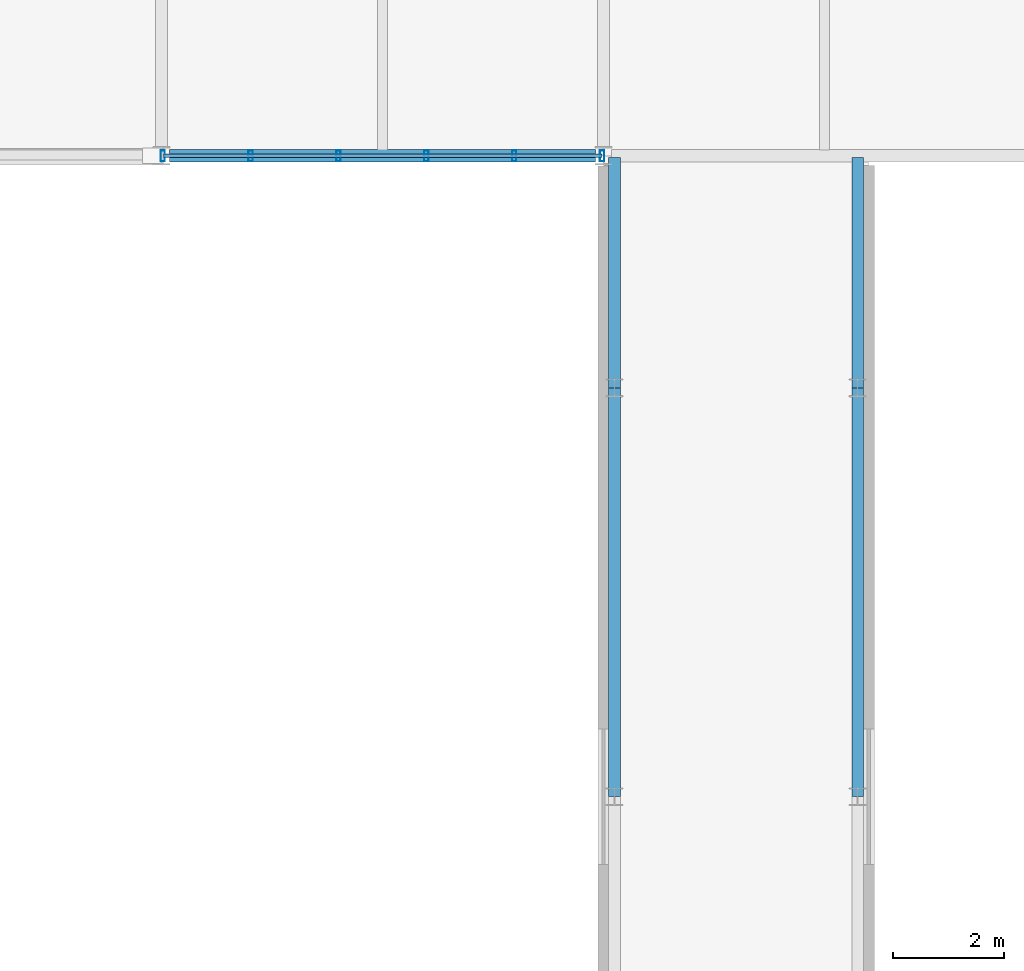
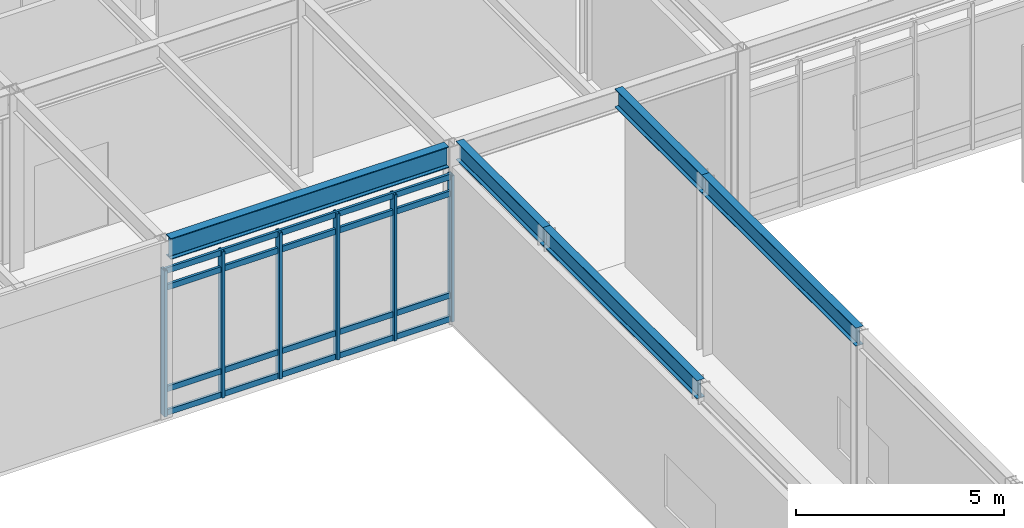
# One storey, part 29 of 94: 10 members, 5 beams, 1 element without a shape of its own.
"""IFC4 building model written with IfcOpenShell, lengths in metres."""

from ifc_helpers import new_model, si_unit, direction, frame, origin, origin_2d, place, context, subcontext, project, spatial, hollow_rectangle, i_section, extrude, material, material_profile, profile_set, type_object, element, aggregate, save


model = new_model("IFC4")

# Units and contexts
model_context = context("Model", 3, precision=1e-05, world=origin(), true_north=direction((0.0, 1.0)))
body_context = subcontext(model_context, "Body", "Model", "MODEL_VIEW")
ifc_project = project(units=[si_unit("LENGTHUNIT", "METRE"), si_unit("AREAUNIT", "SQUARE_METRE"), si_unit("VOLUMEUNIT", "CUBIC_METRE"), si_unit("PLANEANGLEUNIT", "RADIAN"), si_unit("MASSUNIT", "GRAM", prefix="KILO")], contexts=[model_context])

# Site, building, storey
site_placement = place(None, origin())
site = spatial("IfcSite", under=ifc_project, at=site_placement, CompositionType="ELEMENT")
building_placement = place(site_placement, origin())
building = spatial("IfcBuilding", under=site, at=building_placement, Name="Zulena Civic Courthouse", CompositionType="ELEMENT")
storey_placement = place(building_placement, frame((0.0, 0.0, 5.39990234375)))
storey = spatial("IfcBuildingStorey", under=building, at=storey_placement, Name="L01", CompositionType="ELEMENT", Elevation=5.39990234375)

# Beams
ifc_material_1 = material(Name="Steel ASTM A992 Grade 50", Category="steel")
ifc_material_profile_1 = material_profile(ifc_material_1, i_section(OverallWidth=0.2099609375, OverallDepth=0.537109375, WebThickness=0.010986328125, FlangeThickness=0.017333984375, FilletRadius=0.0126953125, at=origin_2d()), Name="W21X68")
ifc_profile_set_1 = profile_set([ifc_material_profile_1], Name="Steel ASTM A992 Grade 50")
beam_type_1 = type_object("IfcBeamType", Name="BridgeGirder_W21X68", PredefinedType="BEAM", material=ifc_profile_set_1)
beam_1_placement = place(storey_placement, frame((52.199951171875, 34.39990234375, 4.9365234375), z_axis=(0.0, 1.0, 0.0), x_axis=(-1.0, 0.0, 0.0)))
element("IfcBeam", 1, at=beam_1_placement, inside=storey, type_object=beam_type_1, Name="beam:bridge:BR-52C:L02:52.20:2", PredefinedType="BEAM", context=body_context, shape_type="SweptSolid", body=[
    extrude(i_section(OverallWidth=0.2099609375, OverallDepth=0.537109375, WebThickness=0.010986328125, FlangeThickness=0.017333984375, FilletRadius=0.0126953125, at=origin_2d()), origin(), (0.0, 0.0, 1.0), 7.400146484375),
])
beam_2_placement = place(storey_placement, frame((52.199951171875, 41.800048828125, 4.9365234375), z_axis=(0.0, 1.0, 0.0), x_axis=(-1.0, 0.0, 0.0)))
element("IfcBeam", 2, at=beam_2_placement, inside=storey, type_object=beam_type_1, Name="beam:bridge:BR-52C:L02:52.20:3", PredefinedType="BEAM", context=body_context, shape_type="SweptSolid", body=[
    extrude(i_section(OverallWidth=0.2099609375, OverallDepth=0.537109375, WebThickness=0.010986328125, FlangeThickness=0.017333984375, FilletRadius=0.0126953125, at=origin_2d()), origin(), (0.0, 0.0, 1.0), 4.169921875),
])
beam_3_placement = place(storey_placement, frame((56.60009765625, 34.39990234375, 4.9365234375), z_axis=(0.0, 1.0, 0.0), x_axis=(-1.0, 0.0, 0.0)))
element("IfcBeam", 3, at=beam_3_placement, inside=storey, type_object=beam_type_1, Name="beam:bridge:BR-52C:L02:56.60:2", PredefinedType="BEAM", context=body_context, shape_type="SweptSolid", body=[
    extrude(i_section(OverallWidth=0.2099609375, OverallDepth=0.537109375, WebThickness=0.010986328125, FlangeThickness=0.017333984375, FilletRadius=0.0126953125, at=origin_2d()), origin(), (0.0, 0.0, 1.0), 7.400146484375),
])
beam_4_placement = place(storey_placement, frame((56.60009765625, 41.800048828125, 4.9365234375), z_axis=(0.0, 1.0, 0.0), x_axis=(-1.0, 0.0, 0.0)))
element("IfcBeam", 4, at=beam_4_placement, inside=storey, type_object=beam_type_1, Name="beam:bridge:BR-52C:L02:56.60:3", PredefinedType="BEAM", context=body_context, shape_type="SweptSolid", body=[
    extrude(i_section(OverallWidth=0.2099609375, OverallDepth=0.537109375, WebThickness=0.010986328125, FlangeThickness=0.017333984375, FilletRadius=0.0126953125, at=origin_2d()), origin(), (0.0, 0.0, 1.0), 4.169921875),
])

# Curtain wall, members
ifc_material_2 = material(Name="Double-silver low-E laminated solar-control glass", Category="glass")
curtain_wall_type = type_object("IfcCurtainWallType", Name="CW_7952x4280", PredefinedType="USERDEFINED", material=ifc_material_2)
curtain_wall_placement = place(storey_placement, origin())
curtain_wall = element("IfcCurtainWall", 5, at=curtain_wall_placement, inside=storey, type_object=curtain_wall_type, Name="cw:V5:L01:5:7", ObjectType="UNITISED CURTAIN WALL", PredefinedType="USERDEFINED")
ifc_material_3 = material(Name="Bronze anodised thermally broken aluminium AA6063-T6", Category="aluminium")
ifc_material_profile_2 = material_profile(ifc_material_3, hollow_rectangle(XDim=0.080078125, YDim=0.199951171875, WallThickness=0.0048828125, at=origin_2d()), Name="CWM200X80X5")
ifc_profile_set_2 = profile_set([ifc_material_profile_2], Name="Bronze anodised thermally broken aluminium AA6063-T6")
member_type_1 = type_object("IfcMemberType", Name="CWMullion_200x80", PredefinedType="MULLION", material=ifc_profile_set_2)
member_1_placement = place(storey_placement, frame((51.97607421875, 46.0, 0.0), z_axis=(0.0, 0.0, 1.0), x_axis=(1.0, 0.0, 0.0)))
member_1 = element("IfcMember", 6, at=member_1_placement, type_object=member_type_1, Name="cw:V5:L01:5:7:mull:0", PredefinedType="MULLION", context=body_context, shape_type="SweptSolid", body=[
    extrude(hollow_rectangle(XDim=0.080078125, YDim=0.199951171875, WallThickness=0.0048828125, at=origin_2d()), origin(), (0.0, 0.0, 1.0), 4.280029296875),
])
member_2_placement = place(storey_placement, frame((50.385498046875, 46.0, 0.0), z_axis=(0.0, 0.0, 1.0), x_axis=(1.0, 0.0, 0.0)))
member_2 = element("IfcMember", 7, at=member_2_placement, type_object=member_type_1, Name="cw:V5:L01:5:7:mull:1", PredefinedType="MULLION", context=body_context, shape_type="SweptSolid", body=[
    extrude(hollow_rectangle(XDim=0.080078125, YDim=0.199951171875, WallThickness=0.0048828125, at=origin_2d()), origin(), (0.0, 0.0, 1.0), 4.280029296875),
])
member_3_placement = place(storey_placement, frame((48.795166015625, 46.0, 0.0), z_axis=(0.0, 0.0, 1.0), x_axis=(1.0, 0.0, 0.0)))
member_3 = element("IfcMember", 8, at=member_3_placement, type_object=member_type_1, Name="cw:V5:L01:5:7:mull:2", PredefinedType="MULLION", context=body_context, shape_type="SweptSolid", body=[
    extrude(hollow_rectangle(XDim=0.080078125, YDim=0.199951171875, WallThickness=0.0048828125, at=origin_2d()), origin(), (0.0, 0.0, 1.0), 4.280029296875),
])
member_4_placement = place(storey_placement, frame((47.204833984375, 46.0, 0.0), z_axis=(0.0, 0.0, 1.0), x_axis=(1.0, 0.0, 0.0)))
member_4 = element("IfcMember", 9, at=member_4_placement, type_object=member_type_1, Name="cw:V5:L01:5:7:mull:3", PredefinedType="MULLION", context=body_context, shape_type="SweptSolid", body=[
    extrude(hollow_rectangle(XDim=0.080078125, YDim=0.199951171875, WallThickness=0.0048828125, at=origin_2d()), origin(), (0.0, 0.0, 1.0), 4.280029296875),
])
member_5_placement = place(storey_placement, frame((45.614501953125, 46.0, 0.0), z_axis=(0.0, 0.0, 1.0), x_axis=(1.0, 0.0, 0.0)))
member_5 = element("IfcMember", 10, at=member_5_placement, type_object=member_type_1, Name="cw:V5:L01:5:7:mull:4", PredefinedType="MULLION", context=body_context, shape_type="SweptSolid", body=[
    extrude(hollow_rectangle(XDim=0.080078125, YDim=0.199951171875, WallThickness=0.0048828125, at=origin_2d()), origin(), (0.0, 0.0, 1.0), 4.280029296875),
])
member_6_placement = place(storey_placement, frame((44.02392578125, 46.0, 0.0), z_axis=(0.0, 0.0, 1.0), x_axis=(1.0, 0.0, 0.0)))
member_6 = element("IfcMember", 11, at=member_6_placement, type_object=member_type_1, Name="cw:V5:L01:5:7:mull:5", PredefinedType="MULLION", context=body_context, shape_type="SweptSolid", body=[
    extrude(hollow_rectangle(XDim=0.080078125, YDim=0.199951171875, WallThickness=0.0048828125, at=origin_2d()), origin(), (0.0, 0.0, 1.0), 4.280029296875),
])
ifc_material_profile_3 = material_profile(ifc_material_3, hollow_rectangle(XDim=0.070068359375, YDim=0.1650390625, WallThickness=0.00390625, at=origin_2d()), Name="CWT165X70X4")
ifc_profile_set_3 = profile_set([ifc_material_profile_3], Name="Bronze anodised thermally broken aluminium AA6063-T6")
member_type_2 = type_object("IfcMemberType", Name="CWTransom_165x70", PredefinedType="USERDEFINED", material=ifc_profile_set_3)
member_7_placement = place(storey_placement, frame((51.97607421875, 46.0, 0.06005859375), z_axis=(-1.0, 0.0, 0.0), x_axis=(0.0, -1.0, 0.0)))
member_7 = element("IfcMember", 12, at=member_7_placement, type_object=member_type_2, Name="cw:V5:L01:5:7:tran:0", ObjectType="TRANSOM", PredefinedType="USERDEFINED", context=body_context, shape_type="SweptSolid", body=[
    extrude(hollow_rectangle(XDim=0.070068359375, YDim=0.1650390625, WallThickness=0.00390625, at=origin_2d()), origin(), (0.0, 0.0, 1.0), 7.9521484375),
])
member_8_placement = place(storey_placement, frame((51.97607421875, 46.0, 0.75), z_axis=(-1.0, 0.0, 0.0), x_axis=(0.0, -1.0, 0.0)))
member_8 = element("IfcMember", 13, at=member_8_placement, type_object=member_type_2, Name="cw:V5:L01:5:7:tran:1", ObjectType="TRANSOM", PredefinedType="USERDEFINED", context=body_context, shape_type="SweptSolid", body=[
    extrude(hollow_rectangle(XDim=0.070068359375, YDim=0.1650390625, WallThickness=0.00390625, at=origin_2d()), origin(), (0.0, 0.0, 1.0), 7.9521484375),
])
member_9_placement = place(storey_placement, frame((51.97607421875, 46.0, 3.72998046875), z_axis=(-1.0, 0.0, 0.0), x_axis=(0.0, -1.0, 0.0)))
member_9 = element("IfcMember", 14, at=member_9_placement, type_object=member_type_2, Name="cw:V5:L01:5:7:tran:2", ObjectType="TRANSOM", PredefinedType="USERDEFINED", context=body_context, shape_type="SweptSolid", body=[
    extrude(hollow_rectangle(XDim=0.070068359375, YDim=0.1650390625, WallThickness=0.00390625, at=origin_2d()), origin(), (0.0, 0.0, 1.0), 7.9521484375),
])
member_10_placement = place(storey_placement, frame((51.97607421875, 46.0, 4.22021484375), z_axis=(-1.0, 0.0, 0.0), x_axis=(0.0, -1.0, 0.0)))
member_10 = element("IfcMember", 15, at=member_10_placement, type_object=member_type_2, Name="cw:V5:L01:5:7:tran:3", ObjectType="TRANSOM", PredefinedType="USERDEFINED", context=body_context, shape_type="SweptSolid", body=[
    extrude(hollow_rectangle(XDim=0.070068359375, YDim=0.1650390625, WallThickness=0.00390625, at=origin_2d()), origin(), (0.0, 0.0, 1.0), 7.9521484375),
])
aggregate(curtain_wall, [member_1, member_2, member_3, member_4, member_5, member_6, member_7, member_8, member_9, member_10])

# Beam
ifc_material_profile_4 = material_profile(ifc_material_1, i_section(OverallWidth=0.22998046875, OverallDepth=0.616943359375, WebThickness=0.01318359375, FlangeThickness=0.022216796875, FilletRadius=0.0126953125, at=origin_2d()), Name="W24X94")
ifc_profile_set_4 = profile_set([ifc_material_profile_4], Name="Steel ASTM A992 Grade 50")
beam_type_2 = type_object("IfcBeamType", Name="Spandrel_W24X94", PredefinedType="SPANDREL", material=ifc_profile_set_4)
beam_5_placement = place(storey_placement, frame((44.14501953125, 46.0, 4.876708984375), z_axis=(1.0, 0.0, 0.0), x_axis=(0.0, 1.0, 0.0)))
element("IfcBeam", 16, at=beam_5_placement, inside=storey, type_object=beam_type_2, Name="beam:X:V5:L01:46.0:44.0_52.0", PredefinedType="SPANDREL", context=body_context, shape_type="SweptSolid", body=[
    extrude(i_section(OverallWidth=0.22998046875, OverallDepth=0.616943359375, WebThickness=0.01318359375, FlangeThickness=0.022216796875, FilletRadius=0.0126953125, at=origin_2d()), origin(), (0.0, 0.0, 1.0), 7.7099609375),
])

save(model, "model.ifc")
